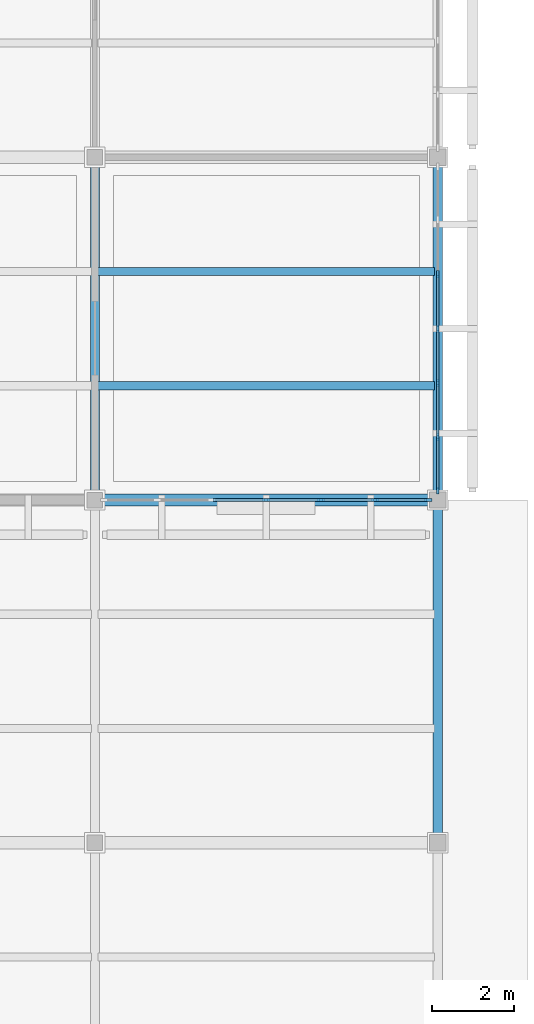
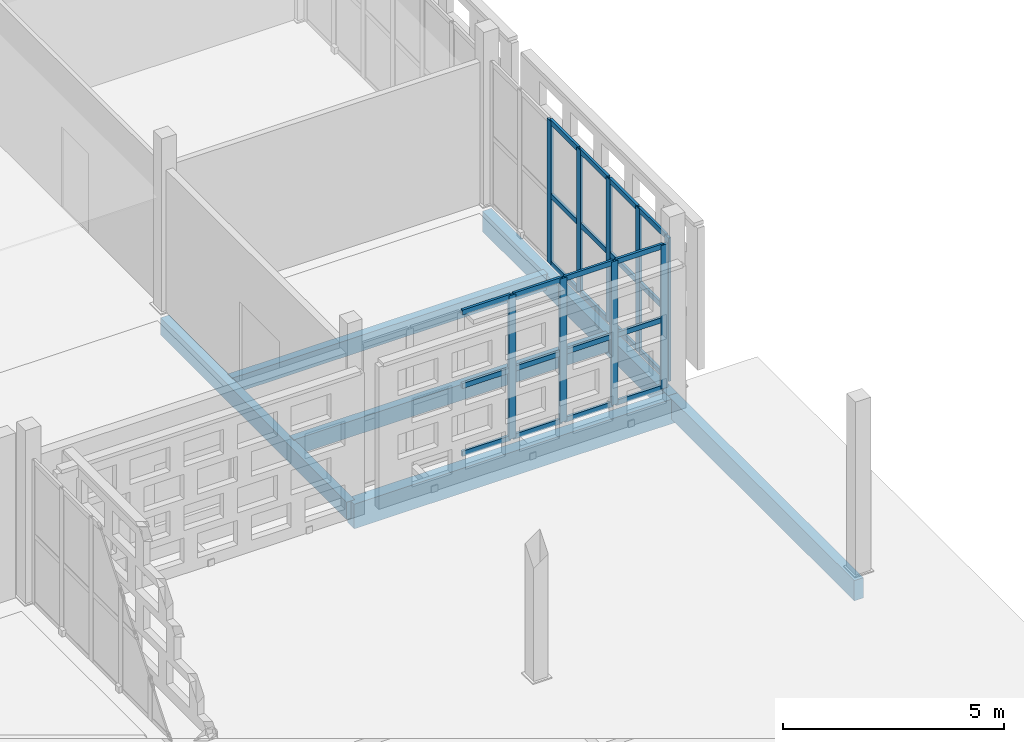
# One storey, part 70 of 203: 33 members, 6 beams, 2 elements without a shape of their own.
"""IFC4 building model written with IfcOpenShell, lengths in metres."""

from ifc_helpers import new_model, si_unit, direction, frame, origin, origin_2d, place, context, subcontext, project, spatial, rectangle, extrude, material, layer, layer_set, material_profile, profile_set, type_object, element, aggregate, save


model = new_model("IFC4")

# Units and contexts
model_context = context("Model", 3, precision=1e-05, world=origin(), true_north=direction((0.0, 1.0)))
body_context = subcontext(model_context, "Body", "Model", "MODEL_VIEW")
ifc_project = project(units=[si_unit("LENGTHUNIT", "METRE"), si_unit("AREAUNIT", "SQUARE_METRE"), si_unit("VOLUMEUNIT", "CUBIC_METRE"), si_unit("PLANEANGLEUNIT", "RADIAN"), si_unit("MASSUNIT", "GRAM", prefix="KILO")], contexts=[model_context])

# Site, building, storey
site_placement = place(None, origin())
site = spatial("IfcSite", under=ifc_project, at=site_placement, CompositionType="ELEMENT")
building_placement = place(site_placement, origin())
building = spatial("IfcBuilding", under=site, at=building_placement, Name="Varnapada Polytechnic", CompositionType="ELEMENT")
storey_placement = place(building_placement, frame((0.0, 0.0, 4.800048828125)))
storey = spatial("IfcBuildingStorey", under=building, at=storey_placement, Name="L01", CompositionType="ELEMENT", Elevation=4.800048828125)

# Beams
ifc_material_1 = material(Name="Glulam GL32h", Category="wood")
ifc_material_profile_1 = material_profile(ifc_material_1, rectangle(XDim=0.199951171875, YDim=0.43994140625, at=origin_2d()), Name="GL 200x440")
ifc_profile_set_1 = profile_set([ifc_material_profile_1], Name="Glulam GL32h")
beam_type_1 = type_object("IfcBeamType", Name="Heavy laboratory glulam joist GJ-03 (GL 200x440)", PredefinedType="JOIST", material=ifc_profile_set_1)
for number, where, z_axis, x_axis, name in (
    (1, (168.080078125, 28.0, -0.469970703125), (1.0, 0.0, 0.0), (0.0, 1.0, 0.0), "L01 floor joist 21/4.1"),
    (2, (168.080078125, 30.800048828125, -0.469970703125), (1.0, 0.0, 0.0), (0.0, 1.0, 0.0), "L01 floor joist 21/4.2"),
):
    element("IfcBeam", number, at=place(storey_placement, frame(where, z_axis=z_axis, x_axis=x_axis)), inside=storey, type_object=beam_type_1, Name=name, PredefinedType="JOIST", context=body_context, shape_type="SweptSolid", body=[
        extrude(rectangle(XDim=0.199951171875, YDim=0.43994140625, at=origin_2d()), origin(), (0.0, 0.0, 1.0), 8.239990234375),
    ])

# Curtain wall, members
ifc_material_2 = material(Name="Double low-E laminated glass", Category="glass")
ifc_layer = layer(ifc_material_2, 0.179931640625)
ifc_layer_set = layer_set([ifc_layer], Name="Double low-E laminated glass")
curtain_wall_type = type_object("IfcCurtainWallType", Name="Curtain Wall CW-04", PredefinedType="NOTDEFINED", material=ifc_layer_set)
curtain_wall_1_placement = place(storey_placement, origin())
curtain_wall_1 = element("IfcCurtainWall", 3, at=curtain_wall_1_placement, inside=storey, type_object=curtain_wall_type, Name="L01 unitised curtain wall CW-04 (118)", PredefinedType="NOTDEFINED")
ifc_material_3 = material(Name="Anodised aluminium", Category="aluminium")
ifc_material_profile_2 = material_profile(ifc_material_3, rectangle(XDim=0.06494140625, YDim=0.179931640625, at=origin_2d()), Name="ALU M65x180")
ifc_profile_set_2 = profile_set([ifc_material_profile_2], Name="Anodised aluminium")
member_type_1 = type_object("IfcMemberType", Name="Mullion M-02", PredefinedType="MULLION", material=ifc_profile_set_2)
member_1_placement = place(storey_placement, frame((176.16748046875, 25.199951171875, 0.0), z_axis=(0.0, 0.0, 1.0), x_axis=(0.0, -1.0, 0.0)))
member_1 = element("IfcMember", 4, at=member_1_placement, type_object=member_type_1, Name="CW-04 mullion 1", PredefinedType="MULLION", context=body_context, shape_type="SweptSolid", body=[
    extrude(rectangle(XDim=0.06494140625, YDim=0.179931640625, at=origin_2d()), origin(), (0.0, 0.0, 1.0), 3.9599609375),
])
member_2_placement = place(storey_placement, frame((174.864990234375, 25.199951171875, 0.0), z_axis=(0.0, 0.0, 1.0), x_axis=(0.0, -1.0, 0.0)))
member_2 = element("IfcMember", 5, at=member_2_placement, type_object=member_type_1, Name="CW-04 mullion 2", PredefinedType="MULLION", context=body_context, shape_type="SweptSolid", body=[
    extrude(rectangle(XDim=0.06494140625, YDim=0.179931640625, at=origin_2d()), origin(), (0.0, 0.0, 1.0), 3.9599609375),
])
member_3_placement = place(storey_placement, frame((173.530029296875, 25.199951171875, 0.0), z_axis=(0.0, 0.0, 1.0), x_axis=(0.0, -1.0, 0.0)))
member_3 = element("IfcMember", 6, at=member_3_placement, type_object=member_type_1, Name="CW-04 mullion 3", PredefinedType="MULLION", context=body_context, shape_type="SweptSolid", body=[
    extrude(rectangle(XDim=0.06494140625, YDim=0.179931640625, at=origin_2d()), origin(), (0.0, 0.0, 1.0), 3.9599609375),
])
member_4_placement = place(storey_placement, frame((172.195068359375, 25.199951171875, 0.0), z_axis=(0.0, 0.0, 1.0), x_axis=(0.0, -1.0, 0.0)))
member_4 = element("IfcMember", 7, at=member_4_placement, type_object=member_type_1, Name="CW-04 mullion 4", PredefinedType="MULLION", context=body_context, shape_type="SweptSolid", body=[
    extrude(rectangle(XDim=0.06494140625, YDim=0.179931640625, at=origin_2d()), origin(), (0.0, 0.0, 1.0), 3.9599609375),
])

curtain_wall_2_placement = place(storey_placement, origin())
curtain_wall_2 = element("IfcCurtainWall", 8, at=curtain_wall_2_placement, inside=storey, type_object=curtain_wall_type, Name="L01 unitised curtain wall CW-04 (119)", PredefinedType="NOTDEFINED")
member_5_placement = place(storey_placement, frame((176.39990234375, 30.7333984375, 0.0), z_axis=(0.0, 0.0, 1.0), x_axis=(1.0, 0.0, 0.0)))
member_5 = element("IfcMember", 9, at=member_5_placement, type_object=member_type_1, Name="CW-04 mullion 3", PredefinedType="MULLION", context=body_context, shape_type="SweptSolid", body=[
    extrude(rectangle(XDim=0.06494140625, YDim=0.179931640625, at=origin_2d()), origin(), (0.0, 0.0, 1.0), 3.9599609375),
])
member_6_placement = place(storey_placement, frame((176.39990234375, 29.39990234375, 0.0), z_axis=(0.0, 0.0, 1.0), x_axis=(1.0, 0.0, 0.0)))
member_6 = element("IfcMember", 10, at=member_6_placement, type_object=member_type_1, Name="CW-04 mullion 4", PredefinedType="MULLION", context=body_context, shape_type="SweptSolid", body=[
    extrude(rectangle(XDim=0.06494140625, YDim=0.179931640625, at=origin_2d()), origin(), (0.0, 0.0, 1.0), 3.9599609375),
])
member_7_placement = place(storey_placement, frame((176.39990234375, 28.066650390625, 0.0), z_axis=(0.0, 0.0, 1.0), x_axis=(1.0, 0.0, 0.0)))
member_7 = element("IfcMember", 11, at=member_7_placement, type_object=member_type_1, Name="CW-04 mullion 5", PredefinedType="MULLION", context=body_context, shape_type="SweptSolid", body=[
    extrude(rectangle(XDim=0.06494140625, YDim=0.179931640625, at=origin_2d()), origin(), (0.0, 0.0, 1.0), 3.9599609375),
])
member_8_placement = place(storey_placement, frame((176.39990234375, 26.7333984375, 0.0), z_axis=(0.0, 0.0, 1.0), x_axis=(1.0, 0.0, 0.0)))
member_8 = element("IfcMember", 12, at=member_8_placement, type_object=member_type_1, Name="CW-04 mullion 6", PredefinedType="MULLION", context=body_context, shape_type="SweptSolid", body=[
    extrude(rectangle(XDim=0.06494140625, YDim=0.179931640625, at=origin_2d()), origin(), (0.0, 0.0, 1.0), 3.9599609375),
])
member_9_placement = place(storey_placement, frame((176.39990234375, 25.4326171875, 0.0), z_axis=(0.0, 0.0, 1.0), x_axis=(1.0, 0.0, 0.0)))
member_9 = element("IfcMember", 13, at=member_9_placement, type_object=member_type_1, Name="CW-04 mullion 7", PredefinedType="MULLION", context=body_context, shape_type="SweptSolid", body=[
    extrude(rectangle(XDim=0.06494140625, YDim=0.179931640625, at=origin_2d()), origin(), (0.0, 0.0, 1.0), 3.9599609375),
])

# Beams
ifc_material_profile_3 = material_profile(ifc_material_1, rectangle(XDim=0.239990234375, YDim=0.56005859375, at=origin_2d()), Name="GL 240x560")
ifc_profile_set_3 = profile_set([ifc_material_profile_3], Name="Glulam GL32h")
beam_type_2 = type_object("IfcBeamType", Name="Perimeter glulam spandrel beam SP-02 (GL 240x560)", PredefinedType="SPANDREL", material=ifc_profile_set_3)
beam_1_placement = place(storey_placement, frame((176.39990234375, 16.800048828125, -0.550048828125), z_axis=(0.0, 1.0, 0.0), x_axis=(-1.0, 0.0, 0.0)))
element("IfcBeam", 14, at=beam_1_placement, inside=storey, type_object=beam_type_2, Name="L01 beam Y 3-4 at X22", PredefinedType="SPANDREL", context=body_context, shape_type="SweptSolid", body=[
    extrude(rectangle(XDim=0.239990234375, YDim=0.56005859375, at=origin_2d()), origin(), (0.0, 0.0, 1.0), 8.39990234375),
])
beam_2_placement = place(storey_placement, frame((176.39990234375, 25.199951171875, -0.550048828125), z_axis=(0.0, 1.0, 0.0), x_axis=(-1.0, 0.0, 0.0)))
element("IfcBeam", 15, at=beam_2_placement, inside=storey, type_object=beam_type_2, Name="L01 beam Y 4-5 at X22", PredefinedType="SPANDREL", context=body_context, shape_type="SweptSolid", body=[
    extrude(rectangle(XDim=0.239990234375, YDim=0.56005859375, at=origin_2d()), origin(), (0.0, 0.0, 1.0), 8.400146484375),
])

# Member
ifc_material_profile_4 = material_profile(ifc_material_3, rectangle(XDim=0.06494140625, YDim=0.139892578125, at=origin_2d()), Name="ALU T65x140")
ifc_profile_set_4 = profile_set([ifc_material_profile_4], Name="Anodised aluminium")
member_type_2 = type_object("IfcMemberType", Name="Transom T-02", PredefinedType="USERDEFINED", material=ifc_profile_set_4)
member_10_placement = place(storey_placement, frame((176.135009765625, 25.199951171875, 0.032470703125), z_axis=(-1.0, 0.0, 0.0), x_axis=(0.0, -1.0, 0.0)))
member_10 = element("IfcMember", 16, at=member_10_placement, type_object=member_type_2, Name="CW-04 transom 1.1", ObjectType="TRANSOM", PredefinedType="USERDEFINED", context=body_context, shape_type="SweptSolid", body=[
    extrude(rectangle(XDim=0.06494140625, YDim=0.139892578125, at=origin_2d()), origin(), (0.0, 0.0, 1.0), 1.237548828125),
])

member_11_placement = place(storey_placement, frame((176.135009765625, 25.199951171875, 1.900634765625), z_axis=(-1.0, 0.0, 0.0), x_axis=(0.0, -1.0, 0.0)))
member_11 = element("IfcMember", 17, at=member_11_placement, type_object=member_type_2, Name="CW-04 transom 1.2", ObjectType="TRANSOM", PredefinedType="USERDEFINED", context=body_context, shape_type="SweptSolid", body=[
    extrude(rectangle(XDim=0.06494140625, YDim=0.139892578125, at=origin_2d()), origin(), (0.0, 0.0, 1.0), 1.237548828125),
])

member_12_placement = place(storey_placement, frame((176.135009765625, 25.199951171875, 3.927490234375), z_axis=(-1.0, 0.0, 0.0), x_axis=(0.0, -1.0, 0.0)))
member_12 = element("IfcMember", 18, at=member_12_placement, type_object=member_type_2, Name="CW-04 transom 1.3", ObjectType="TRANSOM", PredefinedType="USERDEFINED", context=body_context, shape_type="SweptSolid", body=[
    extrude(rectangle(XDim=0.06494140625, YDim=0.139892578125, at=origin_2d()), origin(), (0.0, 0.0, 1.0), 1.237548828125),
])

member_13_placement = place(storey_placement, frame((174.83251953125, 25.199951171875, 0.032470703125), z_axis=(-1.0, 0.0, 0.0), x_axis=(0.0, -1.0, 0.0)))
member_13 = element("IfcMember", 19, at=member_13_placement, type_object=member_type_2, Name="CW-04 transom 2.1", ObjectType="TRANSOM", PredefinedType="USERDEFINED", context=body_context, shape_type="SweptSolid", body=[
    extrude(rectangle(XDim=0.06494140625, YDim=0.139892578125, at=origin_2d()), origin(), (0.0, 0.0, 1.0), 1.27001953125),
])

member_14_placement = place(storey_placement, frame((174.83251953125, 25.199951171875, 1.900634765625), z_axis=(-1.0, 0.0, 0.0), x_axis=(0.0, -1.0, 0.0)))
member_14 = element("IfcMember", 20, at=member_14_placement, type_object=member_type_2, Name="CW-04 transom 2.2", ObjectType="TRANSOM", PredefinedType="USERDEFINED", context=body_context, shape_type="SweptSolid", body=[
    extrude(rectangle(XDim=0.06494140625, YDim=0.139892578125, at=origin_2d()), origin(), (0.0, 0.0, 1.0), 1.27001953125),
])

member_15_placement = place(storey_placement, frame((174.83251953125, 25.199951171875, 3.927490234375), z_axis=(-1.0, 0.0, 0.0), x_axis=(0.0, -1.0, 0.0)))
member_15 = element("IfcMember", 21, at=member_15_placement, type_object=member_type_2, Name="CW-04 transom 2.3", ObjectType="TRANSOM", PredefinedType="USERDEFINED", context=body_context, shape_type="SweptSolid", body=[
    extrude(rectangle(XDim=0.06494140625, YDim=0.139892578125, at=origin_2d()), origin(), (0.0, 0.0, 1.0), 1.27001953125),
])

member_16_placement = place(storey_placement, frame((173.49755859375, 25.199951171875, 0.032470703125), z_axis=(-1.0, 0.0, 0.0), x_axis=(0.0, -1.0, 0.0)))
member_16 = element("IfcMember", 22, at=member_16_placement, type_object=member_type_2, Name="CW-04 transom 3.1", ObjectType="TRANSOM", PredefinedType="USERDEFINED", context=body_context, shape_type="SweptSolid", body=[
    extrude(rectangle(XDim=0.06494140625, YDim=0.139892578125, at=origin_2d()), origin(), (0.0, 0.0, 1.0), 1.27001953125),
])

member_17_placement = place(storey_placement, frame((173.49755859375, 25.199951171875, 1.900634765625), z_axis=(-1.0, 0.0, 0.0), x_axis=(0.0, -1.0, 0.0)))
member_17 = element("IfcMember", 23, at=member_17_placement, type_object=member_type_2, Name="CW-04 transom 3.2", ObjectType="TRANSOM", PredefinedType="USERDEFINED", context=body_context, shape_type="SweptSolid", body=[
    extrude(rectangle(XDim=0.06494140625, YDim=0.139892578125, at=origin_2d()), origin(), (0.0, 0.0, 1.0), 1.27001953125),
])

member_18_placement = place(storey_placement, frame((173.49755859375, 25.199951171875, 3.927490234375), z_axis=(-1.0, 0.0, 0.0), x_axis=(0.0, -1.0, 0.0)))
member_18 = element("IfcMember", 24, at=member_18_placement, type_object=member_type_2, Name="CW-04 transom 3.3", ObjectType="TRANSOM", PredefinedType="USERDEFINED", context=body_context, shape_type="SweptSolid", body=[
    extrude(rectangle(XDim=0.06494140625, YDim=0.139892578125, at=origin_2d()), origin(), (0.0, 0.0, 1.0), 1.27001953125),
])

member_19_placement = place(storey_placement, frame((172.16259765625, 25.199951171875, 0.032470703125), z_axis=(-1.0, 0.0, 0.0), x_axis=(0.0, -1.0, 0.0)))
member_19 = element("IfcMember", 25, at=member_19_placement, type_object=member_type_2, Name="CW-04 transom 4.1", ObjectType="TRANSOM", PredefinedType="USERDEFINED", context=body_context, shape_type="SweptSolid", body=[
    extrude(rectangle(XDim=0.06494140625, YDim=0.139892578125, at=origin_2d()), origin(), (0.0, 0.0, 1.0), 1.27001953125),
])

member_20_placement = place(storey_placement, frame((172.16259765625, 25.199951171875, 1.900634765625), z_axis=(-1.0, 0.0, 0.0), x_axis=(0.0, -1.0, 0.0)))
member_20 = element("IfcMember", 26, at=member_20_placement, type_object=member_type_2, Name="CW-04 transom 4.2", ObjectType="TRANSOM", PredefinedType="USERDEFINED", context=body_context, shape_type="SweptSolid", body=[
    extrude(rectangle(XDim=0.06494140625, YDim=0.139892578125, at=origin_2d()), origin(), (0.0, 0.0, 1.0), 1.27001953125),
])

member_21_placement = place(storey_placement, frame((172.16259765625, 25.199951171875, 3.927490234375), z_axis=(-1.0, 0.0, 0.0), x_axis=(0.0, -1.0, 0.0)))
member_21 = element("IfcMember", 27, at=member_21_placement, type_object=member_type_2, Name="CW-04 transom 4.3", ObjectType="TRANSOM", PredefinedType="USERDEFINED", context=body_context, shape_type="SweptSolid", body=[
    extrude(rectangle(XDim=0.06494140625, YDim=0.139892578125, at=origin_2d()), origin(), (0.0, 0.0, 1.0), 1.27001953125),
])

aggregate(curtain_wall_1, [member_1, member_2, member_3, member_4, member_10, member_11, member_12, member_13, member_14, member_15, member_16, member_17, member_18, member_19, member_20, member_21])

member_22_placement = place(storey_placement, frame((176.39990234375, 30.700927734375, 0.032470703125), z_axis=(0.0, -1.0, 0.0), x_axis=(1.0, 0.0, 0.0)))
member_22 = element("IfcMember", 28, at=member_22_placement, type_object=member_type_2, Name="CW-04 transom 3.1", ObjectType="TRANSOM", PredefinedType="USERDEFINED", context=body_context, shape_type="SweptSolid", body=[
    extrude(rectangle(XDim=0.06494140625, YDim=0.139892578125, at=origin_2d()), origin(), (0.0, 0.0, 1.0), 1.268310546875),
])

member_23_placement = place(storey_placement, frame((176.39990234375, 30.700927734375, 1.900634765625), z_axis=(0.0, -1.0, 0.0), x_axis=(1.0, 0.0, 0.0)))
member_23 = element("IfcMember", 29, at=member_23_placement, type_object=member_type_2, Name="CW-04 transom 3.2", ObjectType="TRANSOM", PredefinedType="USERDEFINED", context=body_context, shape_type="SweptSolid", body=[
    extrude(rectangle(XDim=0.06494140625, YDim=0.139892578125, at=origin_2d()), origin(), (0.0, 0.0, 1.0), 1.268310546875),
])

member_24_placement = place(storey_placement, frame((176.39990234375, 30.700927734375, 3.927490234375), z_axis=(0.0, -1.0, 0.0), x_axis=(1.0, 0.0, 0.0)))
member_24 = element("IfcMember", 30, at=member_24_placement, type_object=member_type_2, Name="CW-04 transom 3.3", ObjectType="TRANSOM", PredefinedType="USERDEFINED", context=body_context, shape_type="SweptSolid", body=[
    extrude(rectangle(XDim=0.06494140625, YDim=0.139892578125, at=origin_2d()), origin(), (0.0, 0.0, 1.0), 1.268310546875),
])

member_25_placement = place(storey_placement, frame((176.39990234375, 29.367431640625, 0.032470703125), z_axis=(0.0, -1.0, 0.0), x_axis=(1.0, 0.0, 0.0)))
member_25 = element("IfcMember", 31, at=member_25_placement, type_object=member_type_2, Name="CW-04 transom 4.1", ObjectType="TRANSOM", PredefinedType="USERDEFINED", context=body_context, shape_type="SweptSolid", body=[
    extrude(rectangle(XDim=0.06494140625, YDim=0.139892578125, at=origin_2d()), origin(), (0.0, 0.0, 1.0), 1.268310546875),
])

member_26_placement = place(storey_placement, frame((176.39990234375, 29.367431640625, 1.900634765625), z_axis=(0.0, -1.0, 0.0), x_axis=(1.0, 0.0, 0.0)))
member_26 = element("IfcMember", 32, at=member_26_placement, type_object=member_type_2, Name="CW-04 transom 4.2", ObjectType="TRANSOM", PredefinedType="USERDEFINED", context=body_context, shape_type="SweptSolid", body=[
    extrude(rectangle(XDim=0.06494140625, YDim=0.139892578125, at=origin_2d()), origin(), (0.0, 0.0, 1.0), 1.268310546875),
])

member_27_placement = place(storey_placement, frame((176.39990234375, 29.367431640625, 3.927490234375), z_axis=(0.0, -1.0, 0.0), x_axis=(1.0, 0.0, 0.0)))
member_27 = element("IfcMember", 33, at=member_27_placement, type_object=member_type_2, Name="CW-04 transom 4.3", ObjectType="TRANSOM", PredefinedType="USERDEFINED", context=body_context, shape_type="SweptSolid", body=[
    extrude(rectangle(XDim=0.06494140625, YDim=0.139892578125, at=origin_2d()), origin(), (0.0, 0.0, 1.0), 1.268310546875),
])

member_28_placement = place(storey_placement, frame((176.39990234375, 28.0341796875, 0.032470703125), z_axis=(0.0, -1.0, 0.0), x_axis=(1.0, 0.0, 0.0)))
member_28 = element("IfcMember", 34, at=member_28_placement, type_object=member_type_2, Name="CW-04 transom 5.1", ObjectType="TRANSOM", PredefinedType="USERDEFINED", context=body_context, shape_type="SweptSolid", body=[
    extrude(rectangle(XDim=0.06494140625, YDim=0.139892578125, at=origin_2d()), origin(), (0.0, 0.0, 1.0), 1.268310546875),
])

member_29_placement = place(storey_placement, frame((176.39990234375, 28.0341796875, 1.900634765625), z_axis=(0.0, -1.0, 0.0), x_axis=(1.0, 0.0, 0.0)))
member_29 = element("IfcMember", 35, at=member_29_placement, type_object=member_type_2, Name="CW-04 transom 5.2", ObjectType="TRANSOM", PredefinedType="USERDEFINED", context=body_context, shape_type="SweptSolid", body=[
    extrude(rectangle(XDim=0.06494140625, YDim=0.139892578125, at=origin_2d()), origin(), (0.0, 0.0, 1.0), 1.268310546875),
])

member_30_placement = place(storey_placement, frame((176.39990234375, 28.0341796875, 3.927490234375), z_axis=(0.0, -1.0, 0.0), x_axis=(1.0, 0.0, 0.0)))
member_30 = element("IfcMember", 36, at=member_30_placement, type_object=member_type_2, Name="CW-04 transom 5.3", ObjectType="TRANSOM", PredefinedType="USERDEFINED", context=body_context, shape_type="SweptSolid", body=[
    extrude(rectangle(XDim=0.06494140625, YDim=0.139892578125, at=origin_2d()), origin(), (0.0, 0.0, 1.0), 1.268310546875),
])

member_31_placement = place(storey_placement, frame((176.39990234375, 26.700927734375, 0.032470703125), z_axis=(0.0, -1.0, 0.0), x_axis=(1.0, 0.0, 0.0)))
member_31 = element("IfcMember", 37, at=member_31_placement, type_object=member_type_2, Name="CW-04 transom 6.1", ObjectType="TRANSOM", PredefinedType="USERDEFINED", context=body_context, shape_type="SweptSolid", body=[
    extrude(rectangle(XDim=0.06494140625, YDim=0.139892578125, at=origin_2d()), origin(), (0.0, 0.0, 1.0), 1.23583984375),
])

member_32_placement = place(storey_placement, frame((176.39990234375, 26.700927734375, 1.900634765625), z_axis=(0.0, -1.0, 0.0), x_axis=(1.0, 0.0, 0.0)))
member_32 = element("IfcMember", 38, at=member_32_placement, type_object=member_type_2, Name="CW-04 transom 6.2", ObjectType="TRANSOM", PredefinedType="USERDEFINED", context=body_context, shape_type="SweptSolid", body=[
    extrude(rectangle(XDim=0.06494140625, YDim=0.139892578125, at=origin_2d()), origin(), (0.0, 0.0, 1.0), 1.23583984375),
])

member_33_placement = place(storey_placement, frame((176.39990234375, 26.700927734375, 3.927490234375), z_axis=(0.0, -1.0, 0.0), x_axis=(1.0, 0.0, 0.0)))
member_33 = element("IfcMember", 39, at=member_33_placement, type_object=member_type_2, Name="CW-04 transom 6.3", ObjectType="TRANSOM", PredefinedType="USERDEFINED", context=body_context, shape_type="SweptSolid", body=[
    extrude(rectangle(XDim=0.06494140625, YDim=0.139892578125, at=origin_2d()), origin(), (0.0, 0.0, 1.0), 1.23583984375),
])

aggregate(curtain_wall_2, [member_5, member_6, member_7, member_8, member_9, member_22, member_23, member_24, member_25, member_26, member_27, member_28, member_29, member_30, member_31, member_32, member_33])

# Beams
ifc_material_profile_5 = material_profile(ifc_material_1, rectangle(XDim=0.219970703125, YDim=0.47998046875, at=origin_2d()), Name="GL 220x480")
ifc_profile_set_5 = profile_set([ifc_material_profile_5], Name="Glulam GL32h")
beam_type_3 = type_object("IfcBeamType", Name="Upper floor glulam tie beam GB-11 (GL 220x480)", PredefinedType="BEAM", material=ifc_profile_set_5)
beam_3_placement = place(storey_placement, frame((168.0, 25.199951171875, -0.510009765625), z_axis=(0.0, 1.0, 0.0), x_axis=(-1.0, 0.0, 0.0)))
element("IfcBeam", 40, at=beam_3_placement, inside=storey, type_object=beam_type_3, Name="L01 beam Y 4-5 at X21", PredefinedType="BEAM", context=body_context, shape_type="SweptSolid", body=[
    extrude(rectangle(XDim=0.219970703125, YDim=0.47998046875, at=origin_2d()), origin(), (0.0, 0.0, 1.0), 8.400146484375),
])
ifc_material_profile_6 = material_profile(ifc_material_1, rectangle(XDim=0.300048828125, YDim=0.679931640625, at=origin_2d()), Name="GL 300x680")
ifc_profile_set_6 = profile_set([ifc_material_profile_6], Name="Glulam GL32h")
beam_type_4 = type_object("IfcBeamType", Name="Wet laboratory glulam girder GG-04 (GL 300x680)", PredefinedType="BEAM", material=ifc_profile_set_6)
beam_4_placement = place(storey_placement, frame((168.0, 25.199951171875, -0.610107421875), z_axis=(1.0, 0.0, 0.0), x_axis=(0.0, 1.0, 0.0)))
element("IfcBeam", 41, at=beam_4_placement, inside=storey, type_object=beam_type_4, Name="L01 beam X 21-22 at Y4", PredefinedType="BEAM", context=body_context, shape_type="SweptSolid", body=[
    extrude(rectangle(XDim=0.300048828125, YDim=0.679931640625, at=origin_2d()), origin(), (0.0, 0.0, 1.0), 8.39990234375),
])

save(model, "model.ifc")
